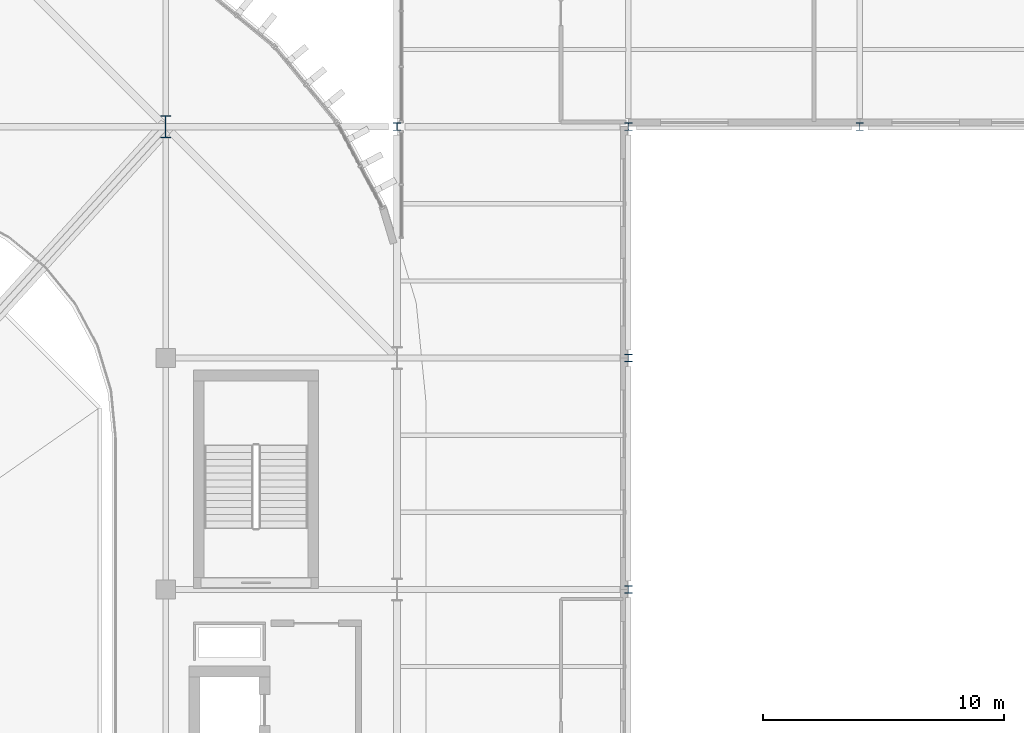
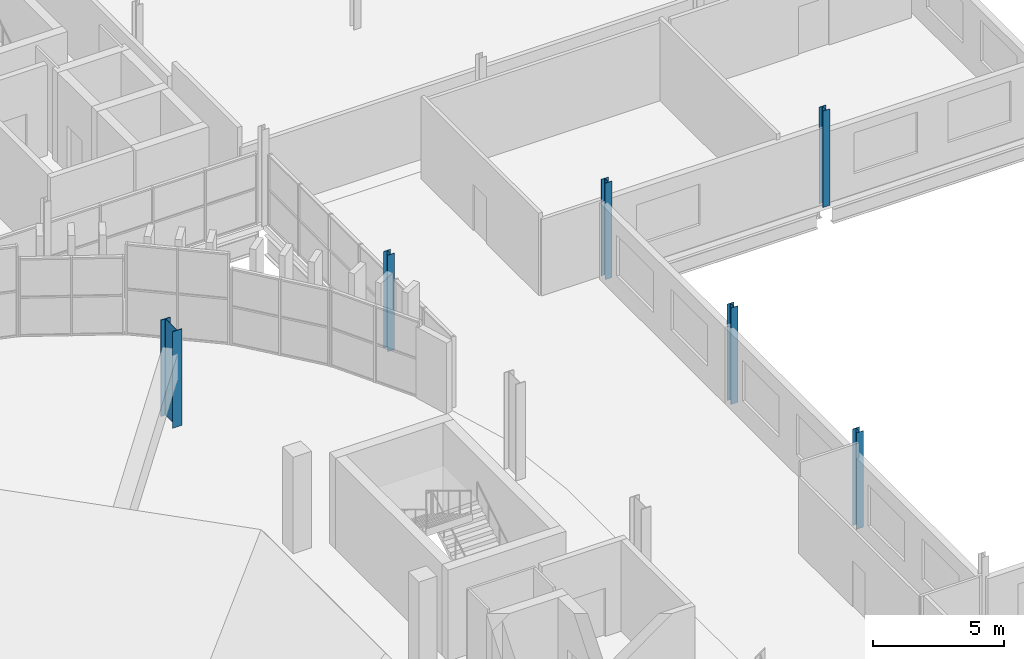
# One storey, part 6 of 69: 6 columns.
"""IFC4 building model written with IfcOpenShell, lengths in metres."""

from ifc_helpers import new_model, si_unit, direction, frame, origin, origin_2d, place, context, subcontext, project, spatial, i_section, extrude, material, material_profile, profile_set, type_object, element, save


model = new_model("IFC4")

# Units and contexts
model_context = context("Model", 3, precision=1e-05, world=origin(), true_north=direction((0.0, 1.0)))
body_context = subcontext(model_context, "Body", "Model", "MODEL_VIEW")
ifc_project = project(units=[si_unit("LENGTHUNIT", "METRE"), si_unit("AREAUNIT", "SQUARE_METRE"), si_unit("VOLUMEUNIT", "CUBIC_METRE"), si_unit("PLANEANGLEUNIT", "RADIAN"), si_unit("MASSUNIT", "GRAM", prefix="KILO")], contexts=[model_context])

# Site, building, storey
site_placement = place(None, origin())
site = spatial("IfcSite", under=ifc_project, at=site_placement, CompositionType="ELEMENT")
building_placement = place(site_placement, origin())
building = spatial("IfcBuilding", under=site, at=building_placement, Name="Caelomonte Colonnade Arena", CompositionType="ELEMENT")
storey_placement = place(building_placement, frame((0.0, 0.0, 18.60009765625)))
storey = spatial("IfcBuildingStorey", under=building, at=storey_placement, Name="L04", CompositionType="ELEMENT", Elevation=18.60009765625)

# Columns
ifc_material = material(Name="Wide-flange steel ASTM A992 Grade 50", Category="steel")
ifc_material_profile_1 = material_profile(ifc_material, i_section(OverallWidth=0.3046875, OverallDepth=0.307861328125, WebThickness=0.010009765625, FlangeThickness=0.015380859375, FilletRadius=0.0126953125, at=origin_2d()), Name="W12X65")
ifc_profile_set_1 = profile_set([ifc_material_profile_1], Name="Wide-flange steel ASTM A992 Grade 50")
column_type_1 = type_object("IfcColumnType", Name="STR-COL-W12A", PredefinedType="COLUMN", material=ifc_profile_set_1)
for number, where, z_axis, x_axis, name in (
    (1, (163.199951171875, 105.60009765625, 0.0), (0.0, 0.0, 1.0), (1.0, 0.0, 0.0), "L04 column (163.2, 105.6)"),
    (2, (172.800048828125, 86.39990234375, 0.0), (0.0, 0.0, 1.0), (1.0, 0.0, 0.0), "L04 column (172.8, 86.4)"),
    (3, (172.800048828125, 96.0, 0.0), (0.0, 0.0, 1.0), (1.0, 0.0, 0.0), "L04 column (172.8, 96.0)"),
    (4, (172.800048828125, 105.60009765625, 0.0), (0.0, 0.0, 1.0), (1.0, 0.0, 0.0), "L04 column (172.8, 105.6)"),
    (5, (182.39990234375, 105.60009765625, 0.0), (0.0, 0.0, 1.0), (1.0, 0.0, 0.0), "L04 column (182.4, 105.6)"),
):
    element("IfcColumn", number, at=place(storey_placement, frame(where, z_axis=z_axis, x_axis=x_axis)), inside=storey, type_object=column_type_1, Name=name, PredefinedType="COLUMN", context=body_context, shape_type="SweptSolid", body=[
        extrude(i_section(OverallWidth=0.3046875, OverallDepth=0.307861328125, WebThickness=0.010009765625, FlangeThickness=0.015380859375, FilletRadius=0.0126953125, at=origin_2d()), origin(), (0.0, 0.0, 1.0), 4.5),
    ])
ifc_material_profile_2 = material_profile(ifc_material, i_section(OverallWidth=0.418212890625, OverallDepth=0.927001953125, WebThickness=0.019287109375, FlangeThickness=0.031982421875, FilletRadius=0.024169921875, at=origin_2d()), Name="W36X231")
ifc_profile_set_2 = profile_set([ifc_material_profile_2], Name="Wide-flange steel ASTM A992 Grade 50")
column_type_2 = type_object("IfcColumnType", Name="STR-COL-W36B", PredefinedType="COLUMN", material=ifc_profile_set_2)
column_placement = place(storey_placement, frame((153.60009765625, 105.60009765625, 0.0), z_axis=(0.0, 0.0, 1.0), x_axis=(1.0, 0.0, 0.0)))
element("IfcColumn", 6, at=column_placement, inside=storey, type_object=column_type_2, Name="L04 column (153.6, 105.6)", PredefinedType="COLUMN", context=body_context, shape_type="SweptSolid", body=[
    extrude(i_section(OverallWidth=0.418212890625, OverallDepth=0.927001953125, WebThickness=0.019287109375, FlangeThickness=0.031982421875, FilletRadius=0.024169921875, at=origin_2d()), origin(), (0.0, 0.0, 1.0), 4.5),
])

save(model, "model.ifc")
